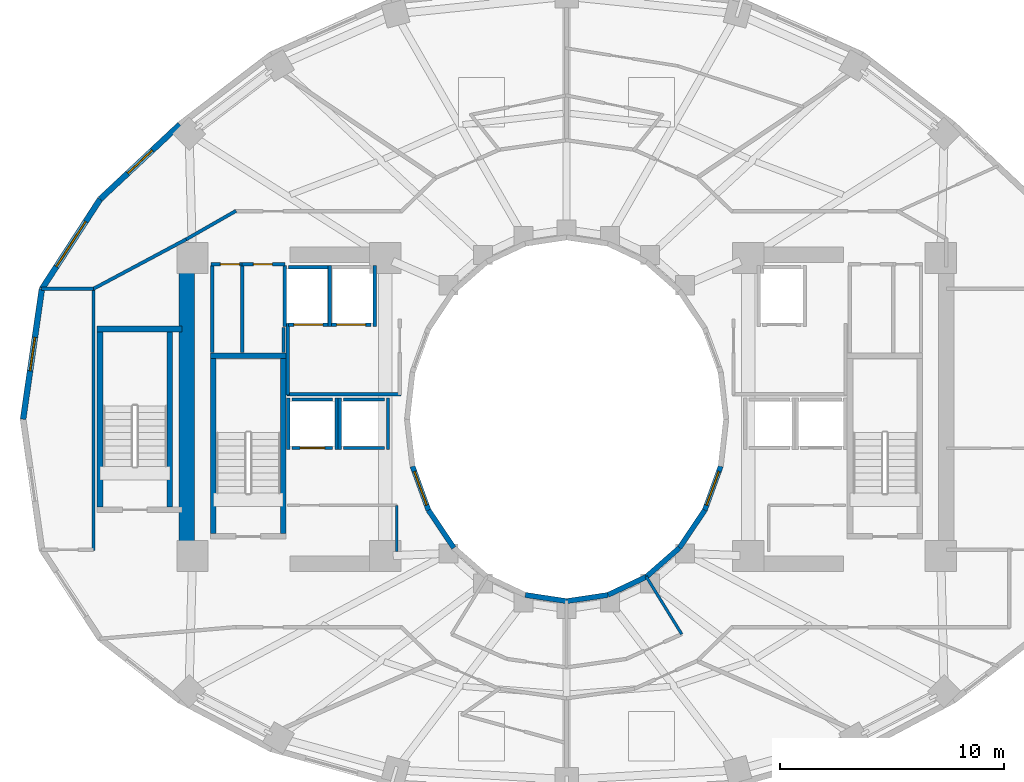
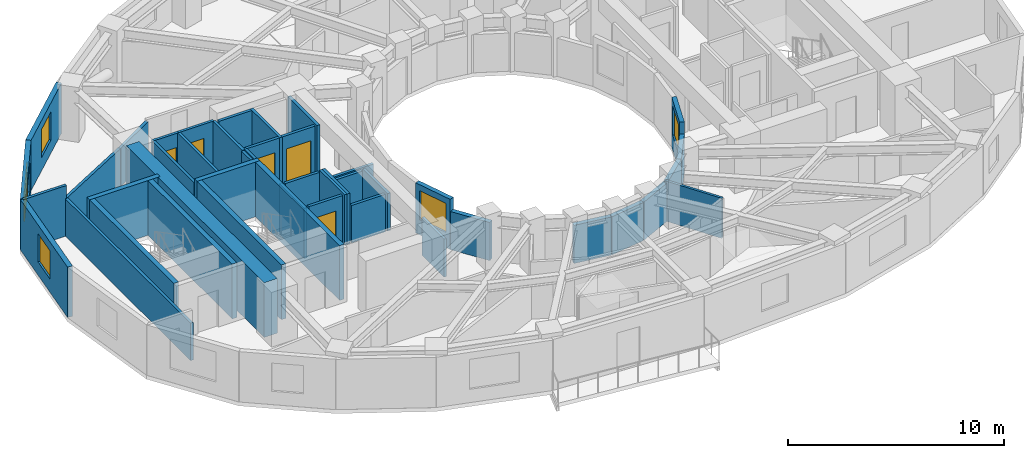
# One storey, part 4 of 9: 45 walls, 5 doors, 5 windows, 10 openings.
"""IFC4 building model written with IfcOpenShell, lengths in metres."""

from ifc_helpers import new_model, si_unit, direction, frame, frame_2d, origin, place, context, subcontext, project, spatial, rectangle, extrude, material, layer, layer_set, type_object, element, fill, save


model = new_model("IFC4")

# Units and contexts
model_context = context("Model", 3, precision=1e-05, world=origin(), true_north=direction((0.0, 1.0)))
body_context = subcontext(model_context, "Body", "Model", "MODEL_VIEW")
ifc_project = project(units=[si_unit("LENGTHUNIT", "METRE"), si_unit("AREAUNIT", "SQUARE_METRE"), si_unit("VOLUMEUNIT", "CUBIC_METRE"), si_unit("PLANEANGLEUNIT", "RADIAN"), si_unit("MASSUNIT", "GRAM", prefix="KILO")], contexts=[model_context])

# Site, building, storey
site_placement = place(None, origin())
site = spatial("IfcSite", under=ifc_project, at=site_placement, CompositionType="ELEMENT")
building_placement = place(site_placement, origin())
building = spatial("IfcBuilding", under=site, at=building_placement, Name="Solvane Sanctuary Tower", CompositionType="ELEMENT")
storey_placement = place(building_placement, frame((0.0, 0.0, 116.60009765625)))
storey = spatial("IfcBuildingStorey", under=building, at=storey_placement, Name="L35", CompositionType="ELEMENT", Elevation=116.60009765625)

# Walls
ifc_material_1 = material(Name="Concrete C60/75", Category="concrete")
ifc_layer_1 = layer(ifc_material_1, 0.699951171875, Name="Concrete C60/75")
ifc_layer_set_1 = layer_set([ifc_layer_1], Name="Concrete C60/75")
wall_type_1 = type_object("IfcWallType", Name="Wall W-CORE-700", PredefinedType="SHEAR", material=ifc_layer_set_1)
wall_1_placement = place(storey_placement, frame((15.050048828125, 17.050048828125, 0.0), z_axis=(0.0, 0.0, 1.0), x_axis=(0.0, 1.0, 0.0)))
element("IfcWall", 1, at=wall_1_placement, inside=storey, type_object=wall_type_1, Name="L35 Core Shear Wall WC-W", PredefinedType="SHEAR", context=body_context, shape_type="SweptSolid", body=[
    extrude(rectangle(XDim=12.800048828125, YDim=0.699951171875, at=frame_2d((6.39990234375, 0.0))), origin(), (0.0, 0.0, 1.0), 3.099853515625),
])
ifc_material_2 = material(Name="Acoustic Gypsum Partition Board")
ifc_layer_2 = layer(ifc_material_2, 0.14990234375, Name="Acoustic Gypsum Partition Board")
ifc_layer_set_2 = layer_set([ifc_layer_2], Name="Acoustic Gypsum Partition Board")
wall_type_2 = type_object("IfcWallType", Name="Wall W-CORR-150", PredefinedType="PARTITIONING", material=ifc_layer_set_2)
wall_2_placement = place(storey_placement, frame((19.52001953125, 24.1201171875, 0.0), z_axis=(0.0, 0.0, 1.0), x_axis=(1.0, 0.0, 0.0)))
element("IfcWall", 2, at=wall_2_placement, inside=storey, type_object=wall_type_2, Name="L35 West Firefighting Lobby South Wall", PredefinedType="PARTITIONING", context=body_context, shape_type="SweptSolid", body=[
    extrude(rectangle(XDim=5.080078125, YDim=0.14990234375, at=frame_2d((2.5400390625, 0.0))), origin(), (0.0, 0.0, 1.0), 2.119873046875),
])
wall_3_placement = place(storey_placement, frame((19.550048828125, 24.080078125, 0.0), z_axis=(0.0, 0.0, 1.0), x_axis=(0.0, 1.0, 0.0)))
element("IfcWall", 3, at=wall_3_placement, inside=storey, type_object=wall_type_2, Name="L35 West Firefighting Lobby West Wall", PredefinedType="PARTITIONING", context=body_context, shape_type="SweptSolid", body=[
    extrude(rectangle(XDim=3.199951171875, YDim=0.14990234375, at=frame_2d((1.60009765625, 0.0))), origin(), (0.0, 0.0, 1.0), 2.85498046875),
])
wall_4_placement = place(storey_placement, frame((10.8798828125, 17.134765625, 0.0), z_axis=(0.0, 0.0, 1.0), x_axis=(0.0, 1.0, 0.0)))
element("IfcWall", 4, at=wall_4_placement, inside=storey, type_object=wall_type_2, Name="L35 West Shoulder Back Wall", PredefinedType="PARTITIONING", context=body_context, shape_type="SweptSolid", body=[
    extrude(rectangle(XDim=11.73046875, YDim=0.14990234375, at=frame_2d((5.865234375, 0.0))), origin(), (0.0, 0.0, 1.0), 2.119873046875),
])
wall_5_placement = place(storey_placement, frame((8.558349609375, 28.8251953125, 0.0), z_axis=(0.0, 0.0, 1.0), x_axis=(1.0, 0.0, 0.0)))
element("IfcWall", 5, at=wall_5_placement, inside=storey, type_object=wall_type_2, Name="L35 West Shoulder North Wall", PredefinedType="PARTITIONING", context=body_context, shape_type="SweptSolid", body=[
    extrude(rectangle(XDim=2.321533203125, YDim=0.14990234375, at=frame_2d((1.16064453125, 0.0))), origin(), (0.0, 0.0, 1.0), 2.85498046875),
])
wall_6_placement = place(storey_placement, frame((10.8447265625, 28.806396484375, 0.0), z_axis=(0.0, 0.0, 1.0), x_axis=(0.88227840565, 0.470727962759, 0.0)))
element("IfcWall", 6, at=wall_6_placement, inside=storey, type_object=wall_type_2, Name="L35 NW Corner Closer 1", PredefinedType="PARTITIONING", context=body_context, shape_type="SweptSolid", body=[
    extrude(rectangle(XDim=4.806396484375, YDim=0.14990234375, at=frame_2d((2.4033203125, 0.0))), origin(), (0.0, 0.0, 1.0), 2.141845703125),
])
wall_7_placement = place(storey_placement, frame((17.243408203125, 32.3046875, 0.0), z_axis=(0.0, 0.0, 1.0), x_axis=(-0.867991349648, -0.496579315857, 0.0)))
element("IfcWall", 7, at=wall_7_placement, inside=storey, type_object=wall_type_2, Name="L35 NW Corner Wing Wall", PredefinedType="PARTITIONING", context=body_context, shape_type="SweptSolid", body=[
    extrude(rectangle(XDim=2.56689453125, YDim=0.14990234375, at=frame_2d((1.283447265625, 0.0))), origin(), (0.0, 0.0, 1.0), 2.141845703125),
])

# Wall, opening, window
ifc_material_3 = material(Name="Precast concrete C40/50", Category="concrete")
ifc_layer_3 = layer(ifc_material_3, 0.260009765625, Name="Precast concrete C40/50")
ifc_layer_set_3 = layer_set([ifc_layer_3], Name="Precast concrete C40/50")
wall_type_3 = type_object("IfcWallType", Name="Wall W-EXT-250", PredefinedType="STANDARD", material=ifc_layer_set_3)
wall_8_placement = place(storey_placement, frame((14.734130859375, 36.1533203125, 0.0), z_axis=(0.0, 0.0, 1.0), x_axis=(-0.730162452258, -0.68327358599, 0.0)))
wall_8 = element("IfcWall", 8, at=wall_8_placement, inside=storey, type_object=wall_type_3, Name="L35 Ceramic-Printed Facade Wall 09", PredefinedType="STANDARD", context=body_context, shape_type="SweptSolid", body=[
    extrude(rectangle(XDim=4.868408203125, YDim=0.260009765625, at=frame_2d((2.43408203125, 0.0))), origin(), (0.0, 0.0, 1.0), 2.849853515625),
])
opening_1_placement = place(wall_8_placement, frame((1.68408203125, 0.0, 0.75)))
opening_1 = element("IfcOpeningElement", 9, at=opening_1_placement, cuts=wall_8, Name="Opening WN-OPER-1500", PredefinedType="OPENING", context=body_context, shape_type="SweptSolid", body=[
    extrude(rectangle(XDim=1.5, YDim=1.60009765625, at=frame_2d((0.75, 0.800048828125))), frame((0.0, 0.139892578125, 0.0), z_axis=(0.0, -1.0, 0.0), x_axis=(1.0, 0.0, 0.0)), (0.0, 0.0, 1.0), 0.280029296875),
])
ifc_material_4 = material(Name="Dark Ceramic-Fritted Low-E Glass", Category="glass")
window_type_1 = type_object("IfcWindowType", Name="Window WN-OPER-1500", PartitioningType="SINGLE_PANEL", PredefinedType="WINDOW", material=ifc_material_4)
window_1_placement = place(opening_1_placement, origin())
window_1 = element("IfcWindow", 10, at=window_1_placement, inside=storey, type_object=window_type_1, Name="L35 Operable Facade Window 09", OverallHeight=1.60009765625, OverallWidth=1.5, PartitioningType="SINGLE_PANEL", PredefinedType="WINDOW", context=body_context, shape_type="SweptSolid", body=[
    extrude(rectangle(XDim=1.5, YDim=1.60009765625, at=frame_2d((0.75, 0.800048828125))), frame((0.0, 0.030029296875, 0.0), z_axis=(0.0, -1.0, 0.0), x_axis=(1.0, 0.0, 0.0)), (0.0, 0.0, 1.0), 0.06005859375),
])
fill(opening_1, window_1)

wall_9_placement = place(storey_placement, frame((11.179443359375, 32.826904296875, 0.0), z_axis=(0.0, 0.0, 1.0), x_axis=(-0.544388392991, -0.838833283541, 0.0)))
wall_9 = element("IfcWall", 11, at=wall_9_placement, inside=storey, type_object=wall_type_3, Name="L35 Ceramic-Printed Facade Wall 10", PredefinedType="STANDARD", context=body_context, shape_type="SweptSolid", body=[
    extrude(rectangle(XDim=4.7783203125, YDim=0.260009765625, at=frame_2d((2.38916015625, 0.0))), origin(), (0.0, 0.0, 1.0), 2.849853515625),
])
opening_2_placement = place(wall_9_placement, frame((1.189208984375, 0.0, 0.75)))
opening_2 = element("IfcOpeningElement", 12, at=opening_2_placement, cuts=wall_9, Name="Opening WN-RIB-2400", PredefinedType="OPENING", context=body_context, shape_type="SweptSolid", body=[
    extrude(rectangle(XDim=2.39990234375, YDim=1.699951171875, at=frame_2d((1.199951171875, 0.85009765625))), frame((0.0, 0.139892578125, 0.0), z_axis=(0.0, -1.0, 0.0), x_axis=(1.0, 0.0, 0.0)), (0.0, 0.0, 1.0), 0.280029296875),
])
window_type_2 = type_object("IfcWindowType", Name="Window WN-RIB-2400", PartitioningType="SINGLE_PANEL", PredefinedType="WINDOW", material=ifc_material_4)
window_2_placement = place(opening_2_placement, origin())
window_2 = element("IfcWindow", 13, at=window_2_placement, inside=storey, type_object=window_type_2, Name="L35 Operable Facade Window 10", OverallHeight=1.699951171875, OverallWidth=2.39990234375, PartitioningType="SINGLE_PANEL", PredefinedType="WINDOW", context=body_context, shape_type="SweptSolid", body=[
    extrude(rectangle(XDim=2.39990234375, YDim=1.699951171875, at=frame_2d((1.199951171875, 0.85009765625))), frame((0.0, 0.030029296875, 0.0), z_axis=(0.0, -1.0, 0.0), x_axis=(1.0, 0.0, 0.0)), (0.0, 0.0, 1.0), 0.06005859375),
])
fill(opening_2, window_2)

wall_10_placement = place(storey_placement, frame((8.578125, 28.818603515625, 0.0), z_axis=(0.0, 0.0, 1.0), x_axis=(-0.142572472068, -0.98978436551, 0.0)))
wall_10 = element("IfcWall", 14, at=wall_10_placement, inside=storey, type_object=wall_type_3, Name="L35 Ceramic-Printed Facade Wall 11", PredefinedType="STANDARD", context=body_context, shape_type="SweptSolid", body=[
    extrude(rectangle(XDim=5.878662109375, YDim=0.260009765625, at=frame_2d((2.939453125, 0.0))), origin(), (0.0, 0.0, 1.0), 2.849853515625),
])
opening_3_placement = place(wall_10_placement, frame((2.189453125, 0.0, 0.75)))
opening_3 = element("IfcOpeningElement", 15, at=opening_3_placement, cuts=wall_10, Name="Opening WN-OPER-1500", PredefinedType="OPENING", context=body_context, shape_type="SweptSolid", body=[
    extrude(rectangle(XDim=1.5, YDim=1.60009765625, at=frame_2d((0.75, 0.800048828125))), frame((0.0, 0.139892578125, 0.0), z_axis=(0.0, -1.0, 0.0), x_axis=(1.0, 0.0, 0.0)), (0.0, 0.0, 1.0), 0.280029296875),
])
window_3_placement = place(opening_3_placement, origin())
window_3 = element("IfcWindow", 16, at=window_3_placement, inside=storey, type_object=window_type_1, Name="L35 Operable Facade Window 11", OverallHeight=1.60009765625, OverallWidth=1.5, PartitioningType="SINGLE_PANEL", PredefinedType="WINDOW", context=body_context, shape_type="SweptSolid", body=[
    extrude(rectangle(XDim=1.5, YDim=1.60009765625, at=frame_2d((0.75, 0.800048828125))), frame((0.0, 0.030029296875, 0.0), z_axis=(0.0, -1.0, 0.0), x_axis=(1.0, 0.0, 0.0)), (0.0, 0.0, 1.0), 0.06005859375),
])
fill(opening_3, window_3)

ifc_layer_4 = layer(ifc_material_3, 0.22998046875, Name="Precast concrete C40/50")
ifc_layer_set_4 = layer_set([ifc_layer_4], Name="Precast concrete C40/50")
wall_type_4 = type_object("IfcWallType", Name="Wall W-EXT-SP220", PredefinedType="STANDARD", material=ifc_layer_set_4)
wall_11_placement = place(storey_placement, frame((25.12255859375, 20.8984375, 0.0), z_axis=(0.0, 0.0, 1.0), x_axis=(0.341423187295, -0.93990968033, 0.0)))
wall_11 = element("IfcWall", 17, at=wall_11_placement, inside=storey, type_object=wall_type_4, Name="L35 Central Light-Well Wall 13", PredefinedType="STANDARD", context=body_context, shape_type="SweptSolid", body=[
    extrude(rectangle(XDim=2.083740234375, YDim=0.22998046875, at=frame_2d((1.0419921875, 0.0))), origin(), (0.0, 0.0, 1.0), 2.83984375),
])
opening_4_placement = place(wall_11_placement, frame((0.24169921875, 0.0, 0.85009765625)))
opening_4 = element("IfcOpeningElement", 18, at=opening_4_placement, cuts=wall_11, Name="Opening WN-WELL-1600", PredefinedType="OPENING", context=body_context, shape_type="SweptSolid", body=[
    extrude(rectangle(XDim=1.60009765625, YDim=1.64990234375, at=frame_2d((0.800048828125, 0.824951171875))), frame((0.0, 0.125, 0.0), z_axis=(0.0, -1.0, 0.0), x_axis=(1.0, 0.0, 0.0)), (0.0, 0.0, 1.0), 0.25),
])
ifc_material_5 = material(Name="Clear Laminated Light-Well Glass", Category="glass")
window_type_3 = type_object("IfcWindowType", Name="Window WN-WELL-1600", PartitioningType="SINGLE_PANEL", PredefinedType="WINDOW", material=ifc_material_5)
window_4_placement = place(opening_4_placement, origin())
window_4 = element("IfcWindow", 19, at=window_4_placement, inside=storey, type_object=window_type_3, Name="L35 Light-Well Daylight Window 13", OverallHeight=1.64990234375, OverallWidth=1.60009765625, PartitioningType="SINGLE_PANEL", PredefinedType="WINDOW", context=body_context, shape_type="SweptSolid", body=[
    extrude(rectangle(XDim=1.60009765625, YDim=1.64990234375, at=frame_2d((0.800048828125, 0.824951171875))), frame((0.0, 0.030029296875, 0.0), z_axis=(0.0, -1.0, 0.0), x_axis=(1.0, 0.0, 0.0)), (0.0, 0.0, 1.0), 0.06005859375),
])
fill(opening_4, window_4)

# Walls
wall_12_placement = place(storey_placement, frame((25.833984375, 18.93994140625, 0.0), z_axis=(0.0, 0.0, 1.0), x_axis=(0.558197800898, -0.829707909492, 0.0)))
element("IfcWall", 20, at=wall_12_placement, inside=storey, type_object=wall_type_4, Name="L35 Central Light-Well Wall 14", PredefinedType="STANDARD", context=body_context, shape_type="SweptSolid", body=[
    extrude(rectangle(XDim=2.02685546875, YDim=0.22998046875, at=frame_2d((1.013427734375, 0.0))), origin(), (0.0, 0.0, 1.0), 2.159912109375),
])
for number, where, z_axis, x_axis, name in (
    (21, (30.1572265625, 15.15673828125, 0.0), (0.0, 0.0, 1.0), (0.988901730308, -0.148571086668, 0.0), "L35 Central Light-Well Wall 17"),
    (22, (32.0, 14.8798828125, 0.0), (0.0, 0.0, 1.0), (0.988901730308, 0.148571086668, 0.0), "L35 Central Light-Well Wall 18"),
):
    element("IfcWall", number, at=place(storey_placement, frame(where, z_axis=z_axis, x_axis=x_axis)), inside=storey, type_object=wall_type_4, Name=name, PredefinedType="STANDARD", context=body_context, shape_type="SweptSolid", body=[
        extrude(rectangle(XDim=1.863525390625, YDim=0.22998046875, at=frame_2d((0.931640625, 0.0))), origin(), (0.0, 0.0, 1.0), 2.159912109375),
    ])
wall_13_placement = place(storey_placement, frame((33.8427734375, 15.15673828125, 0.0), z_axis=(0.0, 0.0, 1.0), x_axis=(0.904179699603, 0.427152280606, 0.0)))
element("IfcWall", 23, at=wall_13_placement, inside=storey, type_object=wall_type_4, Name="L35 Central Light-Well Wall 19", PredefinedType="STANDARD", context=body_context, shape_type="SweptSolid", body=[
    extrude(rectangle(XDim=1.899169921875, YDim=0.22998046875, at=frame_2d((0.94970703125, 0.0))), origin(), (0.0, 0.0, 1.0), 2.159912109375),
])
wall_14_placement = place(storey_placement, frame((35.56005859375, 15.968017578125, 0.0), z_axis=(0.0, 0.0, 1.0), x_axis=(0.752576694707, 0.658504607869, 0.0)))
element("IfcWall", 24, at=wall_14_placement, inside=storey, type_object=wall_type_4, Name="L35 Central Light-Well Wall 20", PredefinedType="STANDARD", context=body_context, shape_type="SweptSolid", body=[
    extrude(rectangle(XDim=1.95947265625, YDim=0.22998046875, at=frame_2d((0.979736328125, 0.0))), origin(), (0.0, 0.0, 1.0), 2.159912109375),
])
wall_15_placement = place(storey_placement, frame((37.03466796875, 17.25830078125, 0.0), z_axis=(0.0, 0.0, 1.0), x_axis=(0.558197800898, 0.829707909492, 0.0)))
element("IfcWall", 25, at=wall_15_placement, inside=storey, type_object=wall_type_4, Name="L35 Central Light-Well Wall 21", PredefinedType="STANDARD", context=body_context, shape_type="SweptSolid", body=[
    extrude(rectangle(XDim=2.02685546875, YDim=0.22998046875, at=frame_2d((1.013427734375, 0.0))), origin(), (0.0, 0.0, 1.0), 2.159912109375),
])

# Wall, opening, window
wall_16_placement = place(storey_placement, frame((38.166015625, 18.93994140625, 0.0), z_axis=(0.0, 0.0, 1.0), x_axis=(0.341423187295, 0.93990968033, 0.0)))
wall_16 = element("IfcWall", 26, at=wall_16_placement, inside=storey, type_object=wall_type_4, Name="L35 Central Light-Well Wall 22", PredefinedType="STANDARD", context=body_context, shape_type="SweptSolid", body=[
    extrude(rectangle(XDim=2.083740234375, YDim=0.22998046875, at=frame_2d((1.0419921875, 0.0))), origin(), (0.0, 0.0, 1.0), 2.83984375),
])
opening_5_placement = place(wall_16_placement, frame((0.24169921875, 0.0, 0.85009765625)))
opening_5 = element("IfcOpeningElement", 27, at=opening_5_placement, cuts=wall_16, Name="Opening WN-WELL-1600", PredefinedType="OPENING", context=body_context, shape_type="SweptSolid", body=[
    extrude(rectangle(XDim=1.60009765625, YDim=1.64990234375, at=frame_2d((0.800048828125, 0.824951171875))), frame((0.0, 0.125, 0.0), z_axis=(0.0, -1.0, 0.0), x_axis=(1.0, 0.0, 0.0)), (0.0, 0.0, 1.0), 0.25),
])
window_5_placement = place(opening_5_placement, origin())
window_5 = element("IfcWindow", 28, at=window_5_placement, inside=storey, type_object=window_type_3, Name="L35 Light-Well Daylight Window 22", OverallHeight=1.64990234375, OverallWidth=1.60009765625, PartitioningType="SINGLE_PANEL", PredefinedType="WINDOW", context=body_context, shape_type="SweptSolid", body=[
    extrude(rectangle(XDim=1.60009765625, YDim=1.64990234375, at=frame_2d((0.800048828125, 0.824951171875))), frame((0.0, 0.030029296875, 0.0), z_axis=(0.0, -1.0, 0.0), x_axis=(1.0, 0.0, 0.0)), (0.0, 0.0, 1.0), 0.06005859375),
])
fill(opening_5, window_5)

# Walls
ifc_layer_5 = layer(ifc_material_2, 0.125, Name="Acoustic Gypsum Partition Board")
ifc_layer_set_5 = layer_set([ifc_layer_5], Name="Acoustic Gypsum Partition Board")
wall_type_5 = type_object("IfcWallType", Name="Wall W-PART-125", PredefinedType="PARTITIONING", material=ifc_layer_set_5)
wall_17_placement = place(storey_placement, frame((24.419921875, 17.10009765625, 0.0), z_axis=(0.0, 0.0, 1.0), x_axis=(0.0, 1.0, 0.0)))
element("IfcWall", 29, at=wall_17_placement, inside=storey, type_object=wall_type_5, Name="L35 Reclaimed Room Closer Wall PLW-1", PredefinedType="PARTITIONING", context=body_context, shape_type="SweptSolid", body=[
    extrude(rectangle(XDim=2.039794921875, YDim=0.125, at=frame_2d((1.02001953125, 0.0))), origin(), (0.0, 0.0, 1.0), 2.15283203125),
])
wall_18_placement = place(storey_placement, frame((35.550048828125, 15.985107421875, 0.0), z_axis=(0.0, 0.0, 1.0), x_axis=(0.524565340045, -0.851370192116, 0.0)))
element("IfcWall", 30, at=wall_18_placement, inside=storey, type_object=wall_type_5, Name="L35 Inner Light-Well Radial Wall 300", PredefinedType="PARTITIONING", context=body_context, shape_type="SweptSolid", body=[
    extrude(rectangle(XDim=3.027099609375, YDim=0.125, at=frame_2d((1.513671875, 0.0))), origin(), (0.0, 0.0, 1.0), 2.27197265625),
])

# Wall, opening, door
ifc_material_6 = material(Name="Concrete C50/60", Category="concrete")
ifc_layer_6 = layer(ifc_material_6, 0.14990234375, Name="Concrete C50/60")
ifc_layer_set_6 = layer_set([ifc_layer_6], Name="Concrete C50/60")
wall_type_6 = type_object("IfcWallType", Name="Wall W-SHAFT-150", PredefinedType="SOLIDWALL", material=ifc_layer_set_6)
wall_19_placement = place(storey_placement, frame((19.739990234375, 21.719970703125, 0.0), z_axis=(0.0, 0.0, 1.0), x_axis=(1.0, 0.0, 0.0)))
wall_19 = element("IfcWall", 31, at=wall_19_placement, inside=storey, type_object=wall_type_6, Name="L35 PM-1 Lift Shaft Wall F", PredefinedType="SOLIDWALL", context=body_context, shape_type="SweptSolid", body=[
    extrude(rectangle(XDim=1.820068359375, YDim=0.14990234375, at=frame_2d((0.91015625, 0.0))), origin(), (0.0, 0.0, 1.0), 2.85498046875),
])
opening_6_placement = place(wall_19_placement, frame((0.360107421875, 0.0, 0.0)))
opening_6 = element("IfcOpeningElement", 32, at=opening_6_placement, cuts=wall_19, Name="Opening LD-L35-01", PredefinedType="OPENING", context=body_context, shape_type="SweptSolid", body=[
    extrude(rectangle(XDim=1.10009765625, YDim=2.10009765625, at=frame_2d((0.550048828125, 1.050048828125))), frame((0.0, 0.0849609375, 0.0), z_axis=(0.0, -1.0, 0.0), x_axis=(1.0, 0.0, 0.0)), (0.0, 0.0, 1.0), 0.169921875),
])
ifc_material_7 = material(Name="Architectural Stainless Steel 316", Category="steel")
door_type_1 = type_object("IfcDoorType", Name="Door LD-PASS-1100", OperationType="NOTDEFINED", PredefinedType="DOOR", material=ifc_material_7)
door_1_placement = place(opening_6_placement, origin())
door_1 = element("IfcDoor", 33, at=door_1_placement, inside=storey, type_object=door_type_1, Name="L35 PM-1 Lift Landing Door", OperationType="DOUBLE_DOOR_SLIDING", OverallHeight=2.10009765625, OverallWidth=1.10009765625, PredefinedType="DOOR", context=body_context, shape_type="SweptSolid", body=[
    extrude(rectangle(XDim=1.10009765625, YDim=2.10009765625, at=frame_2d((0.550048828125, 1.050048828125))), frame((0.0, 0.02490234375, 0.0), z_axis=(0.0, -1.0, 0.0), x_axis=(1.0, 0.0, 0.0)), (0.0, 0.0, 1.0), 0.050048828125),
])
fill(opening_6, door_1)

# Walls
wall_20_placement = place(storey_placement, frame((19.739990234375, 23.8798828125, 0.0), z_axis=(0.0, 0.0, 1.0), x_axis=(1.0, 0.0, 0.0)))
element("IfcWall", 34, at=wall_20_placement, inside=storey, type_object=wall_type_6, Name="L35 PM-1 Lift Shaft Wall B", PredefinedType="SOLIDWALL", context=body_context, shape_type="SweptSolid", body=[
    extrude(rectangle(XDim=1.820068359375, YDim=0.14990234375, at=frame_2d((0.91015625, 0.0))), origin(), (0.0, 0.0, 1.0), 2.85498046875),
])
for number, where, z_axis, x_axis, name in (
    (35, (19.570068359375, 21.639892578125, 0.0), (0.0, 0.0, 1.0), (0.0, 1.0, 0.0), "L35 PM-1 Lift Shaft Wall S1"),
    (36, (21.72998046875, 21.639892578125, 0.0), (0.0, 0.0, 1.0), (0.0, 1.0, 0.0), "L35 PM-1 Lift Shaft Wall S2"),
):
    element("IfcWall", number, at=place(storey_placement, frame(where, z_axis=z_axis, x_axis=x_axis)), inside=storey, type_object=wall_type_6, Name=name, PredefinedType="SOLIDWALL", context=body_context, shape_type="SweptSolid", body=[
        extrude(rectangle(XDim=2.320068359375, YDim=0.14990234375, at=frame_2d((1.16015625, 0.0))), origin(), (0.0, 0.0, 1.0), 2.85498046875),
    ])
for number, where, z_axis, x_axis, name in (
    (37, (22.0400390625, 21.719970703125, 0.0), (0.0, 0.0, 1.0), (1.0, 0.0, 0.0), "L35 PH-1 Lift Shaft Wall F"),
    (38, (22.0400390625, 23.8798828125, 0.0), (0.0, 0.0, 1.0), (1.0, 0.0, 0.0), "L35 PH-1 Lift Shaft Wall B"),
):
    element("IfcWall", number, at=place(storey_placement, frame(where, z_axis=z_axis, x_axis=x_axis)), inside=storey, type_object=wall_type_6, Name=name, PredefinedType="SOLIDWALL", context=body_context, shape_type="SweptSolid", body=[
        extrude(rectangle(XDim=1.820068359375, YDim=0.14990234375, at=frame_2d((0.91015625, 0.0))), origin(), (0.0, 0.0, 1.0), 2.119873046875),
    ])
wall_21_placement = place(storey_placement, frame((21.8701171875, 21.639892578125, 0.0), z_axis=(0.0, 0.0, 1.0), x_axis=(0.0, 1.0, 0.0)))
element("IfcWall", 39, at=wall_21_placement, inside=storey, type_object=wall_type_6, Name="L35 PH-1 Lift Shaft Wall S1", PredefinedType="SOLIDWALL", context=body_context, shape_type="SweptSolid", body=[
    extrude(rectangle(XDim=2.320068359375, YDim=0.14990234375, at=frame_2d((1.16015625, 0.0))), origin(), (0.0, 0.0, 1.0), 2.85498046875),
])
wall_22_placement = place(storey_placement, frame((24.030029296875, 21.639892578125, 0.0), z_axis=(0.0, 0.0, 1.0), x_axis=(0.0, 1.0, 0.0)))
element("IfcWall", 40, at=wall_22_placement, inside=storey, type_object=wall_type_6, Name="L35 PH-1 Lift Shaft Wall S2", PredefinedType="SOLIDWALL", context=body_context, shape_type="SweptSolid", body=[
    extrude(rectangle(XDim=2.320068359375, YDim=0.14990234375, at=frame_2d((1.16015625, 0.0))), origin(), (0.0, 0.0, 1.0), 2.119873046875),
])

# Wall, opening, door
wall_23_placement = place(storey_placement, frame((19.590087890625, 27.219970703125, 0.0), z_axis=(0.0, 0.0, 1.0), x_axis=(1.0, 0.0, 0.0)))
wall_23 = element("IfcWall", 41, at=wall_23_placement, inside=storey, type_object=wall_type_6, Name="L35 FFL-1 Lift Shaft Wall F", PredefinedType="SOLIDWALL", context=body_context, shape_type="SweptSolid", body=[
    extrude(rectangle(XDim=1.760009765625, YDim=0.14990234375, at=frame_2d((0.8798828125, 0.0))), origin(), (0.0, 0.0, 1.0), 2.85498046875),
])
opening_7_placement = place(wall_23_placement, frame((0.22998046875, 0.0, 0.0)))
opening_7 = element("IfcOpeningElement", 42, at=opening_7_placement, cuts=wall_23, Name="Opening LD-L35-03", PredefinedType="OPENING", context=body_context, shape_type="SweptSolid", body=[
    extrude(rectangle(XDim=1.300048828125, YDim=2.10009765625, at=frame_2d((0.64990234375, 1.050048828125))), frame((0.0, 0.0849609375, 0.0), z_axis=(0.0, -1.0, 0.0), x_axis=(1.0, 0.0, 0.0)), (0.0, 0.0, 1.0), 0.169921875),
])
door_type_2 = type_object("IfcDoorType", Name="Door LD-FFL-1300", OperationType="NOTDEFINED", PredefinedType="DOOR", material=ifc_material_7)
door_2_placement = place(opening_7_placement, origin())
door_2 = element("IfcDoor", 43, at=door_2_placement, inside=storey, type_object=door_type_2, Name="L35 FFL-1 Lift Landing Door", OperationType="DOUBLE_DOOR_SLIDING", OverallHeight=2.10009765625, OverallWidth=1.300048828125, PredefinedType="DOOR", context=body_context, shape_type="SweptSolid", body=[
    extrude(rectangle(XDim=1.300048828125, YDim=2.10009765625, at=frame_2d((0.64990234375, 1.050048828125))), frame((0.0, 0.02490234375, 0.0), z_axis=(0.0, -1.0, 0.0), x_axis=(1.0, 0.0, 0.0)), (0.0, 0.0, 1.0), 0.050048828125),
])
fill(opening_7, door_2)

# Walls
wall_24_placement = place(storey_placement, frame((19.590087890625, 29.780029296875, 0.0), z_axis=(0.0, 0.0, 1.0), x_axis=(1.0, 0.0, 0.0)))
element("IfcWall", 44, at=wall_24_placement, inside=storey, type_object=wall_type_6, Name="L35 FFL-1 Lift Shaft Wall B", PredefinedType="SOLIDWALL", context=body_context, shape_type="SweptSolid", body=[
    extrude(rectangle(XDim=1.760009765625, YDim=0.14990234375, at=frame_2d((0.8798828125, 0.0))), origin(), (0.0, 0.0, 1.0), 2.85498046875),
])
for number, where, z_axis, x_axis, name in (
    (45, (19.419921875, 27.139892578125, 0.0), (0.0, 0.0, 1.0), (0.0, 1.0, 0.0), "L35 FFL-1 Lift Shaft Wall S1"),
    (46, (21.425048828125, 27.139892578125, 0.0), (0.0, 0.0, 1.0), (0.0, 1.0, 0.0), "L35 FFL-1 Lift Shaft Wall S2"),
):
    element("IfcWall", number, at=place(storey_placement, frame(where, z_axis=z_axis, x_axis=x_axis)), inside=storey, type_object=wall_type_6, Name=name, PredefinedType="SOLIDWALL", context=body_context, shape_type="SweptSolid", body=[
        extrude(rectangle(XDim=2.72021484375, YDim=0.14990234375, at=frame_2d((1.360107421875, 0.0))), origin(), (0.0, 0.0, 1.0), 2.85498046875),
    ])

# Wall, opening, door
wall_25_placement = place(storey_placement, frame((21.5, 27.219970703125, 0.0), z_axis=(0.0, 0.0, 1.0), x_axis=(1.0, 0.0, 0.0)))
wall_25 = element("IfcWall", 47, at=wall_25_placement, inside=storey, type_object=wall_type_6, Name="L35 SVL-1 Lift Shaft Wall F", PredefinedType="SOLIDWALL", context=body_context, shape_type="SweptSolid", body=[
    extrude(rectangle(XDim=1.760009765625, YDim=0.14990234375, at=frame_2d((0.8798828125, 0.0))), origin(), (0.0, 0.0, 1.0), 2.85498046875),
])
opening_8_placement = place(wall_25_placement, frame((0.22998046875, 0.0, 0.0)))
opening_8 = element("IfcOpeningElement", 48, at=opening_8_placement, cuts=wall_25, Name="Opening LD-L35-04", PredefinedType="OPENING", context=body_context, shape_type="SweptSolid", body=[
    extrude(rectangle(XDim=1.300048828125, YDim=2.10009765625, at=frame_2d((0.64990234375, 1.050048828125))), frame((0.0, 0.0849609375, 0.0), z_axis=(0.0, -1.0, 0.0), x_axis=(1.0, 0.0, 0.0)), (0.0, 0.0, 1.0), 0.169921875),
])
door_3_placement = place(opening_8_placement, origin())
door_3 = element("IfcDoor", 49, at=door_3_placement, inside=storey, type_object=door_type_2, Name="L35 SVL-1 Lift Landing Door", OperationType="DOUBLE_DOOR_SLIDING", OverallHeight=2.10009765625, OverallWidth=1.300048828125, PredefinedType="DOOR", context=body_context, shape_type="SweptSolid", body=[
    extrude(rectangle(XDim=1.300048828125, YDim=2.10009765625, at=frame_2d((0.64990234375, 1.050048828125))), frame((0.0, 0.02490234375, 0.0), z_axis=(0.0, -1.0, 0.0), x_axis=(1.0, 0.0, 0.0)), (0.0, 0.0, 1.0), 0.050048828125),
])
fill(opening_8, door_3)

# Walls
wall_26_placement = place(storey_placement, frame((23.429931640625, 27.139892578125, 0.0), z_axis=(0.0, 0.0, 1.0), x_axis=(0.0, 1.0, 0.0)))
element("IfcWall", 50, at=wall_26_placement, inside=storey, type_object=wall_type_6, Name="L35 SVL-1 Lift Shaft Wall S2", PredefinedType="SOLIDWALL", context=body_context, shape_type="SweptSolid", body=[
    extrude(rectangle(XDim=2.72021484375, YDim=0.14990234375, at=frame_2d((1.360107421875, 0.0))), origin(), (0.0, 0.0, 1.0), 2.85498046875),
])
ifc_layer_7 = layer(ifc_material_6, 0.25, Name="Concrete C50/60")
ifc_layer_set_7 = layer_set([ifc_layer_7], Name="Concrete C50/60")
wall_type_7 = type_object("IfcWallType", Name="Wall W-SHAFT-250", PredefinedType="SOLIDWALL", material=ifc_layer_set_7)
wall_27_placement = place(storey_placement, frame((16.10498046875, 25.830078125, 0.0), z_axis=(0.0, 0.0, 1.0), x_axis=(1.0, 0.0, 0.0)))
element("IfcWall", 51, at=wall_27_placement, inside=storey, type_object=wall_type_7, Name="L35 ST-1 Load-Bearing Shaft Wall N", PredefinedType="SOLIDWALL", context=body_context, shape_type="SweptSolid", body=[
    extrude(rectangle(XDim=3.3701171875, YDim=0.25, at=frame_2d((1.68505859375, 0.0))), origin(), (0.0, 0.0, 1.0), 3.099853515625),
])
for number, where, z_axis, x_axis, name in (
    (52, (16.22998046875, 17.89501953125, 0.0), (0.0, 0.0, 1.0), (0.0, 1.0, 0.0), "L35 ST-1 Load-Bearing Shaft Wall W"),
    (53, (19.35009765625, 17.89501953125, 0.0), (0.0, 0.0, 1.0), (0.0, 1.0, 0.0), "L35 ST-1 Load-Bearing Shaft Wall E"),
):
    element("IfcWall", number, at=place(storey_placement, frame(where, z_axis=z_axis, x_axis=x_axis)), inside=storey, type_object=wall_type_7, Name=name, PredefinedType="SOLIDWALL", context=body_context, shape_type="SweptSolid", body=[
        extrude(rectangle(XDim=7.81005859375, YDim=0.25, at=frame_2d((3.905029296875, 0.0))), origin(), (0.0, 0.0, 1.0), 3.099853515625),
    ])
wall_28_placement = place(storey_placement, frame((11.044921875, 27.030029296875, 0.0), z_axis=(0.0, 0.0, 1.0), x_axis=(1.0, 0.0, 0.0)))
element("IfcWall", 54, at=wall_28_placement, inside=storey, type_object=wall_type_7, Name="L35 ST-3 Load-Bearing Shaft Wall N", PredefinedType="SOLIDWALL", context=body_context, shape_type="SweptSolid", body=[
    extrude(rectangle(XDim=3.781982421875, YDim=0.25, at=frame_2d((1.89111328125, 0.0))), origin(), (0.0, 0.0, 1.0), 3.099853515625),
])
for number, where, z_axis, x_axis, name in (
    (55, (11.169921875, 19.094970703125, 0.0), (0.0, 0.0, 1.0), (0.0, 1.0, 0.0), "L35 ST-3 Load-Bearing Shaft Wall W"),
    (56, (14.2900390625, 19.094970703125, 0.0), (0.0, 0.0, 1.0), (0.0, 1.0, 0.0), "L35 ST-3 Load-Bearing Shaft Wall E"),
):
    element("IfcWall", number, at=place(storey_placement, frame(where, z_axis=z_axis, x_axis=x_axis)), inside=storey, type_object=wall_type_7, Name=name, PredefinedType="SOLIDWALL", context=body_context, shape_type="SweptSolid", body=[
        extrude(rectangle(XDim=7.81005859375, YDim=0.25, at=frame_2d((3.905029296875, 0.0))), origin(), (0.0, 0.0, 1.0), 3.099853515625),
    ])

# Wall, opening, door
ifc_layer_8 = layer(ifc_material_2, 0.139892578125, Name="Acoustic Gypsum Partition Board")
ifc_layer_set_8 = layer_set([ifc_layer_8], Name="Acoustic Gypsum Partition Board")
wall_type_8 = type_object("IfcWallType", Name="Wall W-WET-140", PredefinedType="PLUMBINGWALL", material=ifc_layer_set_8)
wall_29_placement = place(storey_placement, frame((16.1201171875, 29.919921875, 0.0), z_axis=(0.0, 0.0, 1.0), x_axis=(1.0, 0.0, 0.0)))
wall_29 = element("IfcWall", 57, at=wall_29_placement, inside=storey, type_object=wall_type_8, Name="L35 Core Service Front Wall KW1", PredefinedType="PLUMBINGWALL", context=body_context, shape_type="SweptSolid", body=[
    extrude(rectangle(XDim=1.39990234375, YDim=0.139892578125, at=frame_2d((0.699951171875, 0.0))), origin(), (0.0, 0.0, 1.0), 2.85498046875),
])
opening_9_placement = place(wall_29_placement, frame((0.429931640625, 0.0, 0.0)))
opening_9 = element("IfcOpeningElement", 58, at=opening_9_placement, cuts=wall_29, Name="Opening D-L35-10", PredefinedType="OPENING", context=body_context, shape_type="SweptSolid", body=[
    extrude(rectangle(XDim=0.85009765625, YDim=2.050048828125, at=frame_2d((0.425048828125, 1.02490234375))), frame((0.0, 0.079833984375, 0.0), z_axis=(0.0, -1.0, 0.0), x_axis=(1.0, 0.0, 0.0)), (0.0, 0.0, 1.0), 0.159912109375),
])
door_type_3 = type_object("IfcDoorType", Name="Door D-RISER", OperationType="NOTDEFINED", PredefinedType="DOOR", material=ifc_material_7)
door_4_placement = place(opening_9_placement, origin())
door_4 = element("IfcDoor", 59, at=door_4_placement, inside=storey, type_object=door_type_3, Name="L35 Core Service Room Door KW1-1", OperationType="SINGLE_SWING_LEFT", OverallHeight=2.050048828125, OverallWidth=0.85009765625, PredefinedType="DOOR", context=body_context, shape_type="SweptSolid", body=[
    extrude(rectangle(XDim=0.85009765625, YDim=2.050048828125, at=frame_2d((0.425048828125, 1.02490234375))), frame((0.0, 0.02490234375, 0.0), z_axis=(0.0, -1.0, 0.0), x_axis=(1.0, 0.0, 0.0)), (0.0, 0.0, 1.0), 0.050048828125),
])
fill(opening_9, door_4)

# Walls
for number, where, z_axis, x_axis, name in (
    (60, (16.179931640625, 25.97998046875, 0.0), (0.0, 0.0, 1.0), (0.0, 1.0, 0.0), "L35 Core Service Side Wall KW1-1"),
    (61, (17.52001953125, 25.97998046875, 0.0), (0.0, 0.0, 1.0), (0.0, 1.0, 0.0), "L35 Core Service Side Wall KW1-2"),
):
    element("IfcWall", number, at=place(storey_placement, frame(where, z_axis=z_axis, x_axis=x_axis)), inside=storey, type_object=wall_type_8, Name=name, PredefinedType="PLUMBINGWALL", context=body_context, shape_type="SweptSolid", body=[
        extrude(rectangle(XDim=3.880126953125, YDim=0.139892578125, at=frame_2d((1.93994140625, 0.0))), origin(), (0.0, 0.0, 1.0), 2.85498046875),
    ])

# Wall, opening, door
wall_30_placement = place(storey_placement, frame((17.52001953125, 29.919921875, 0.0), z_axis=(0.0, 0.0, 1.0), x_axis=(1.0, 0.0, 0.0)))
wall_30 = element("IfcWall", 62, at=wall_30_placement, inside=storey, type_object=wall_type_8, Name="L35 Core Service Front Wall KW2", PredefinedType="PLUMBINGWALL", context=body_context, shape_type="SweptSolid", body=[
    extrude(rectangle(XDim=1.89990234375, YDim=0.139892578125, at=frame_2d((0.949951171875, 0.0))), origin(), (0.0, 0.0, 1.0), 2.85498046875),
])
opening_10_placement = place(wall_30_placement, frame((0.5, 0.0, 0.0)))
opening_10 = element("IfcOpeningElement", 63, at=opening_10_placement, cuts=wall_30, Name="Opening D-L35-11", PredefinedType="OPENING", context=body_context, shape_type="SweptSolid", body=[
    extrude(rectangle(XDim=0.85009765625, YDim=2.050048828125, at=frame_2d((0.425048828125, 1.02490234375))), frame((0.0, 0.079833984375, 0.0), z_axis=(0.0, -1.0, 0.0), x_axis=(1.0, 0.0, 0.0)), (0.0, 0.0, 1.0), 0.159912109375),
])
door_5_placement = place(opening_10_placement, origin())
door_5 = element("IfcDoor", 64, at=door_5_placement, inside=storey, type_object=door_type_3, Name="L35 Core Service Room Door KW2-1", OperationType="SINGLE_SWING_RIGHT", OverallHeight=2.050048828125, OverallWidth=0.85009765625, PredefinedType="DOOR", context=body_context, shape_type="SweptSolid", body=[
    extrude(rectangle(XDim=0.85009765625, YDim=2.050048828125, at=frame_2d((0.425048828125, 1.02490234375))), frame((0.0, 0.02490234375, 0.0), z_axis=(0.0, -1.0, 0.0), x_axis=(1.0, 0.0, 0.0)), (0.0, 0.0, 1.0), 0.050048828125),
])
fill(opening_10, door_5)

# Wall
wall_31_placement = place(storey_placement, frame((19.360107421875, 25.97998046875, 0.0), z_axis=(0.0, 0.0, 1.0), x_axis=(0.0, 1.0, 0.0)))
element("IfcWall", 65, at=wall_31_placement, inside=storey, type_object=wall_type_8, Name="L35 Core Service Side Wall KW2-1", PredefinedType="PLUMBINGWALL", context=body_context, shape_type="SweptSolid", body=[
    extrude(rectangle(XDim=1.1201171875, YDim=0.139892578125, at=frame_2d((0.56005859375, 0.0))), origin(), (0.0, 0.0, 1.0), 2.85498046875),
])

save(model, "model.ifc")
